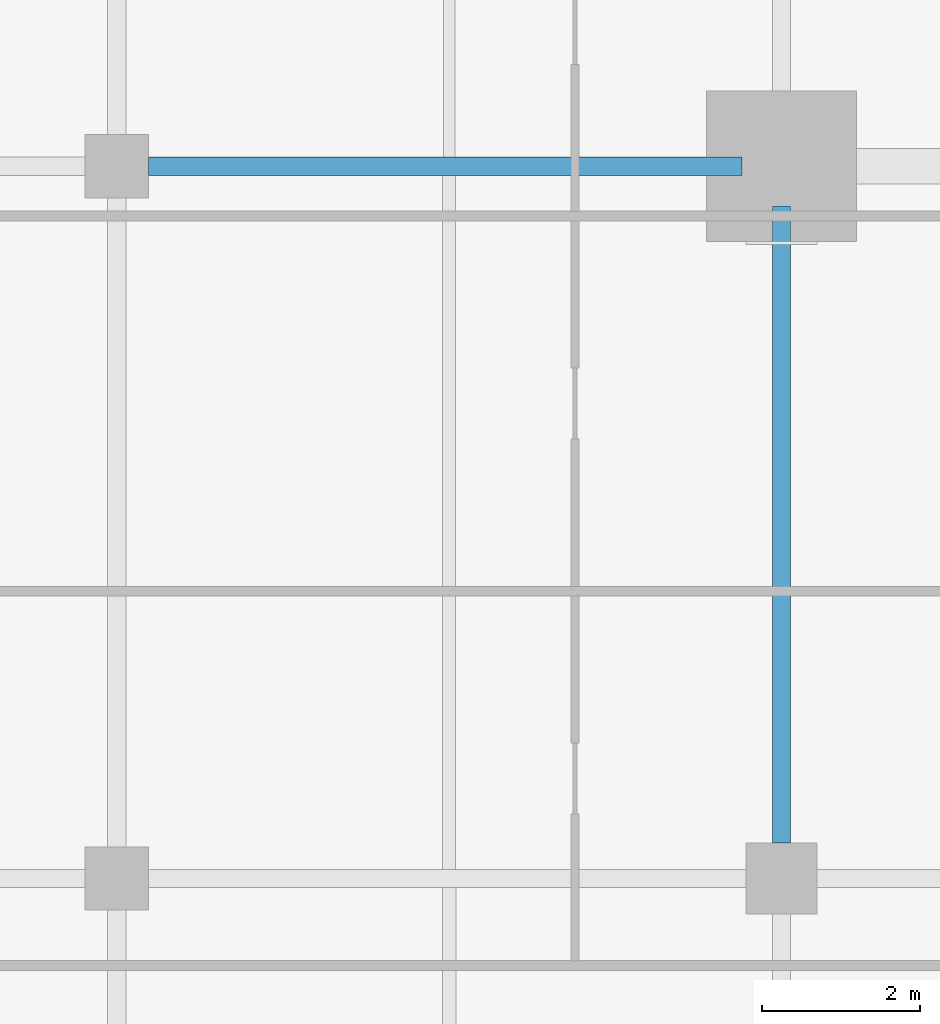
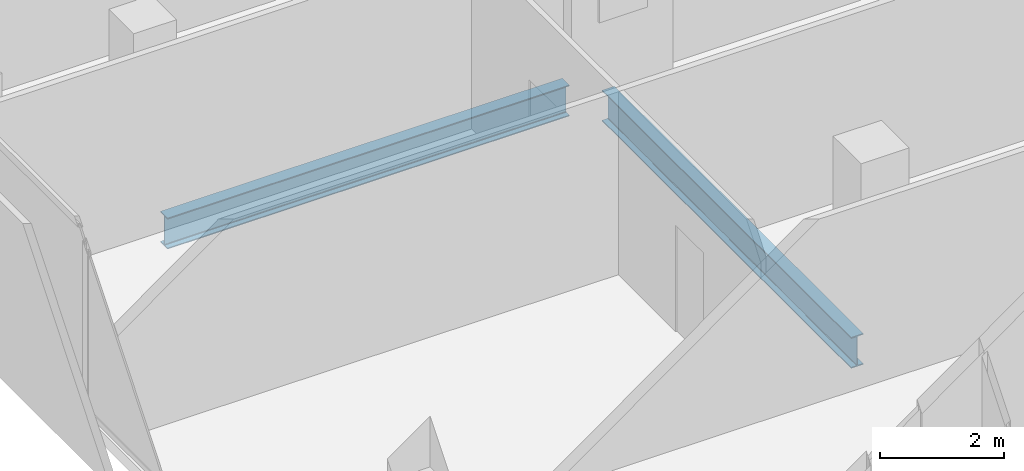
# One storey, part 9 of 33: 2 beams.
"""IFC4 building model written with IfcOpenShell, lengths in metres."""

from ifc_helpers import new_model, si_unit, direction, frame, origin, origin_2d, place, context, subcontext, project, spatial, i_section, extrude, material, material_profile, profile_set, type_object, element, save


model = new_model("IFC4")

# Units and contexts
model_context = context("Model", 3, precision=1e-05, world=origin(), true_north=direction((0.0, 1.0)))
body_context = subcontext(model_context, "Body", "Model", "MODEL_VIEW")
ifc_project = project(units=[si_unit("LENGTHUNIT", "METRE"), si_unit("AREAUNIT", "SQUARE_METRE"), si_unit("VOLUMEUNIT", "CUBIC_METRE"), si_unit("PLANEANGLEUNIT", "RADIAN"), si_unit("MASSUNIT", "GRAM", prefix="KILO")], contexts=[model_context])

# Site, building, storey
site_placement = place(None, origin())
site = spatial("IfcSite", under=ifc_project, at=site_placement, CompositionType="ELEMENT")
building_placement = place(site_placement, origin())
building = spatial("IfcBuilding", under=site, at=building_placement, Name="Maruvema Waterfront Hotel and Observation Tower", CompositionType="ELEMENT")
storey_placement = place(building_placement, frame((0.0, 0.0, 138.949951171875)))
storey = spatial("IfcBuildingStorey", under=building, at=storey_placement, Name="L33", CompositionType="ELEMENT", Elevation=138.949951171875)

# Beams
ifc_material = material(Name="Steel ASTM A572 Grade 50", Category="steel")
ifc_material_profile = material_profile(ifc_material, i_section(OverallWidth=0.22900390625, OverallDepth=0.612060546875, WebThickness=0.011962890625, FlangeThickness=0.01953125, FilletRadius=0.01806640625, at=origin_2d()), Name="W610x125.0")
ifc_profile_set = profile_set([ifc_material_profile], Name="Steel ASTM A572 Grade 50")
beam_type = type_object("IfcBeamType", Name="Primary Floor Girder W610x125.0", PredefinedType="BEAM", material=ifc_profile_set)
beam_1_placement = place(storey_placement, frame((17.199951171875, 27.0, -0.5458984375), z_axis=(1.0, 0.0, 0.0), x_axis=(0.0, 1.0, 0.0)))
element("IfcBeam", 1, at=beam_1_placement, inside=storey, type_object=beam_type, Name="L33 Floor Girder EW-19", PredefinedType="BEAM", context=body_context, shape_type="SweptSolid", body=[
    extrude(i_section(OverallWidth=0.22900390625, OverallDepth=0.612060546875, WebThickness=0.011962890625, FlangeThickness=0.01953125, FilletRadius=0.01806640625, at=origin_2d()), origin(), (0.0, 0.0, 1.0), 7.5),
])
beam_2_placement = place(storey_placement, frame((25.199951171875, 18.449951171875, -0.5458984375), z_axis=(0.0, 1.0, 0.0), x_axis=(-1.0, 0.0, 0.0)))
element("IfcBeam", 2, at=beam_2_placement, inside=storey, type_object=beam_type, Name="L33 Floor Girder NS-11", PredefinedType="BEAM", context=body_context, shape_type="SweptSolid", body=[
    extrude(i_section(OverallWidth=0.22900390625, OverallDepth=0.612060546875, WebThickness=0.011962890625, FlangeThickness=0.01953125, FilletRadius=0.01806640625, at=origin_2d()), origin(), (0.0, 0.0, 1.0), 8.050048828125),
])

save(model, "model.ifc")
